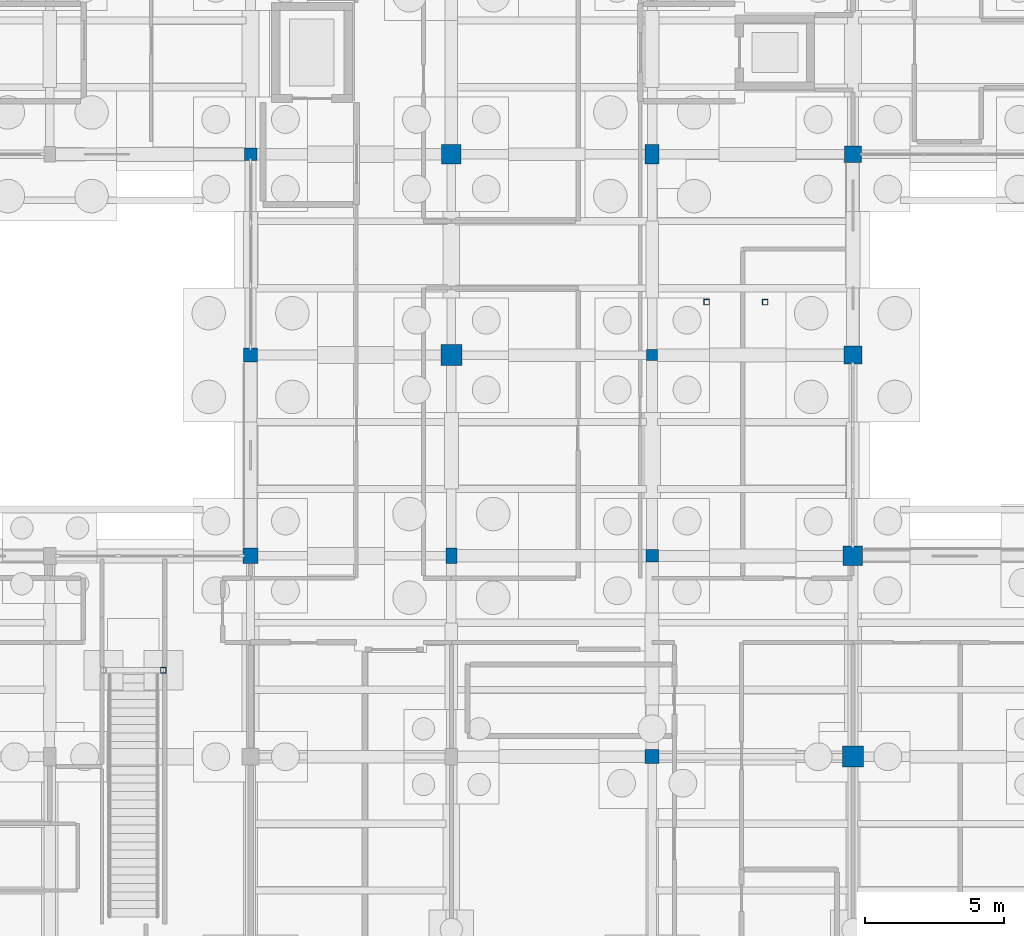
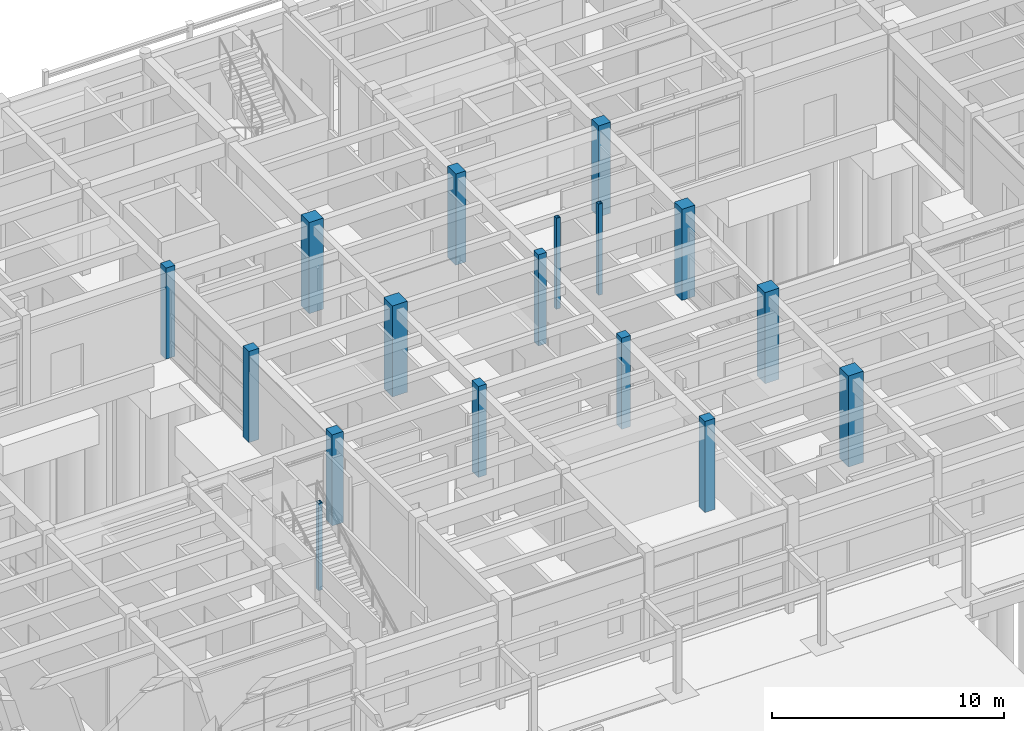
# One storey, part 25 of 143: 17 columns.
"""IFC4 building model written with IfcOpenShell, lengths in metres."""

from ifc_helpers import new_model, si_unit, direction, frame, origin, origin_2d, place, context, subcontext, project, spatial, rectangle, hollow_rectangle, extrude, material, material_profile, profile_set, type_object, element, save


model = new_model("IFC4")

# Units and contexts
model_context = context("Model", 3, precision=1e-05, world=origin(), true_north=direction((0.0, 1.0)))
body_context = subcontext(model_context, "Body", "Model", "MODEL_VIEW")
ifc_project = project(units=[si_unit("LENGTHUNIT", "METRE"), si_unit("AREAUNIT", "SQUARE_METRE"), si_unit("VOLUMEUNIT", "CUBIC_METRE"), si_unit("PLANEANGLEUNIT", "RADIAN"), si_unit("MASSUNIT", "GRAM", prefix="KILO")], contexts=[model_context])

# Site, building, storey
site_placement = place(None, origin())
site = spatial("IfcSite", under=ifc_project, at=site_placement, CompositionType="ELEMENT")
building_placement = place(site_placement, origin())
building = spatial("IfcBuilding", under=site, at=building_placement, Name="Steenspoor Specialist Clinic", CompositionType="ELEMENT")
storey_placement = place(building_placement, origin())
storey = spatial("IfcBuildingStorey", under=building, at=storey_placement, Name="L00", CompositionType="ELEMENT", Elevation=0.0)

# Columns
ifc_material_1 = material(Name="Concrete C40/50", Category="concrete")
ifc_material_profile_1 = material_profile(ifc_material_1, rectangle(XDim=0.39990234375, YDim=0.39990234375, at=origin_2d()), Name="RC-COL-400X400")
ifc_profile_set_1 = profile_set([ifc_material_profile_1], Name="Concrete C40/50")
column_type_1 = type_object("IfcColumnType", Name="COL-RC-400", PredefinedType="COLUMN", material=ifc_profile_set_1)
column_1_placement = place(storey_placement, frame((88.39990234375, 86.75, 0.0), z_axis=(0.0, 0.0, 1.0), x_axis=(1.0, 0.0, 0.0)))
element("IfcColumn", 1, at=column_1_placement, inside=storey, type_object=column_type_1, Name="Column COL-L00-0356", PredefinedType="COLUMN", context=body_context, shape_type="SweptSolid", body=[
    extrude(rectangle(XDim=0.39990234375, YDim=0.39990234375, at=origin_2d()), origin(), (0.0, 0.0, 1.0), 4.800048828125),
])
ifc_material_profile_2 = material_profile(ifc_material_1, rectangle(XDim=0.39990234375, YDim=0.550048828125, at=origin_2d()), Name="RC-COL-400X550")
ifc_profile_set_2 = profile_set([ifc_material_profile_2], Name="Concrete C40/50")
column_type_2 = type_object("IfcColumnType", Name="COL-RC-400X550", PredefinedType="COLUMN", material=ifc_profile_set_2)
column_2_placement = place(storey_placement, frame((81.199951171875, 79.550048828125, 0.0), z_axis=(0.0, 0.0, 1.0), x_axis=(1.0, 0.0, 0.0)))
element("IfcColumn", 2, at=column_2_placement, inside=storey, type_object=column_type_2, Name="Column COL-L00-0313", PredefinedType="COLUMN", context=body_context, shape_type="SweptSolid", body=[
    extrude(rectangle(XDim=0.39990234375, YDim=0.550048828125, at=origin_2d()), origin(), (0.0, 0.0, 1.0), 4.800048828125),
])
ifc_material_profile_3 = material_profile(ifc_material_1, rectangle(XDim=0.449951171875, YDim=0.449951171875, at=origin_2d()), Name="RC-COL-450X450")
ifc_profile_set_3 = profile_set([ifc_material_profile_3], Name="Concrete C40/50")
column_type_3 = type_object("IfcColumnType", Name="COL-RC-450", PredefinedType="COLUMN", material=ifc_profile_set_3)
for number, where, z_axis, x_axis, name in (
    (3, (74.0, 93.949951171875, 0.0), (0.0, 0.0, 1.0), (1.0, 0.0, 0.0), "Column COL-L00-0288"),
    (4, (88.39990234375, 79.550048828125, 0.0), (0.0, 0.0, 1.0), (1.0, 0.0, 0.0), "Column COL-L00-0350"),
):
    element("IfcColumn", number, at=place(storey_placement, frame(where, z_axis=z_axis, x_axis=x_axis)), inside=storey, type_object=column_type_3, Name=name, PredefinedType="COLUMN", context=body_context, shape_type="SweptSolid", body=[
        extrude(rectangle(XDim=0.449951171875, YDim=0.449951171875, at=origin_2d()), origin(), (0.0, 0.0, 1.0), 4.800048828125),
    ])
ifc_material_profile_4 = material_profile(ifc_material_1, rectangle(XDim=0.5, YDim=0.5, at=origin_2d()), Name="RC-COL-500X500")
ifc_profile_set_4 = profile_set([ifc_material_profile_4], Name="Concrete C40/50")
column_type_4 = type_object("IfcColumnType", Name="COL-RC-500", PredefinedType="COLUMN", material=ifc_profile_set_4)
for number, where, z_axis, x_axis, name in (
    (5, (74.0, 86.75, 0.0), (0.0, 0.0, 1.0), (1.0, 0.0, 0.0), "Column COL-L00-0282"),
    (6, (88.39990234375, 72.35009765625, 0.0), (0.0, 0.0, 1.0), (1.0, 0.0, 0.0), "Column COL-L00-0345"),
):
    element("IfcColumn", number, at=place(storey_placement, frame(where, z_axis=z_axis, x_axis=x_axis)), inside=storey, type_object=column_type_4, Name=name, PredefinedType="COLUMN", context=body_context, shape_type="SweptSolid", body=[
        extrude(rectangle(XDim=0.5, YDim=0.5, at=origin_2d()), origin(), (0.0, 0.0, 1.0), 4.800048828125),
    ])
ifc_material_profile_5 = material_profile(ifc_material_1, rectangle(XDim=0.5, YDim=0.699951171875, at=origin_2d()), Name="RC-COL-500X700")
ifc_profile_set_5 = profile_set([ifc_material_profile_5], Name="Concrete C40/50")
column_type_5 = type_object("IfcColumnType", Name="COL-RC-500X700", PredefinedType="COLUMN", material=ifc_profile_set_5)
column_3_placement = place(storey_placement, frame((88.39990234375, 93.949951171875, 0.0), z_axis=(0.0, 0.0, 1.0), x_axis=(1.0, 0.0, 0.0)))
element("IfcColumn", 7, at=column_3_placement, inside=storey, type_object=column_type_5, Name="Column COL-L00-0362", PredefinedType="COLUMN", context=body_context, shape_type="SweptSolid", body=[
    extrude(rectangle(XDim=0.5, YDim=0.699951171875, at=origin_2d()), origin(), (0.0, 0.0, 1.0), 4.800048828125),
])
ifc_material_profile_6 = material_profile(ifc_material_1, rectangle(XDim=0.550048828125, YDim=0.550048828125, at=origin_2d()), Name="RC-COL-550X550")
ifc_profile_set_6 = profile_set([ifc_material_profile_6], Name="Concrete C40/50")
column_type_6 = type_object("IfcColumnType", Name="COL-RC-550", PredefinedType="COLUMN", material=ifc_profile_set_6)
column_4_placement = place(storey_placement, frame((74.0, 79.550048828125, 0.0), z_axis=(0.0, 0.0, 1.0), x_axis=(1.0, 0.0, 0.0)))
element("IfcColumn", 8, at=column_4_placement, inside=storey, type_object=column_type_6, Name="Column COL-L00-0276", PredefinedType="COLUMN", context=body_context, shape_type="SweptSolid", body=[
    extrude(rectangle(XDim=0.550048828125, YDim=0.550048828125, at=origin_2d()), origin(), (0.0, 0.0, 1.0), 4.800048828125),
])
ifc_material_profile_7 = material_profile(ifc_material_1, rectangle(XDim=0.60009765625, YDim=0.60009765625, at=origin_2d()), Name="RC-COL-600X600")
ifc_profile_set_7 = profile_set([ifc_material_profile_7], Name="Concrete C40/50")
column_type_7 = type_object("IfcColumnType", Name="COL-RC-600", PredefinedType="COLUMN", material=ifc_profile_set_7)
column_5_placement = place(storey_placement, frame((95.60009765625, 93.949951171875, 0.0), z_axis=(0.0, 0.0, 1.0), x_axis=(1.0, 0.0, 0.0)))
element("IfcColumn", 9, at=column_5_placement, inside=storey, type_object=column_type_7, Name="Column COL-L00-0399", PredefinedType="COLUMN", context=body_context, shape_type="SweptSolid", body=[
    extrude(rectangle(XDim=0.60009765625, YDim=0.60009765625, at=origin_2d()), origin(), (0.0, 0.0, 1.0), 4.800048828125),
])
ifc_material_profile_8 = material_profile(ifc_material_1, rectangle(XDim=0.64990234375, YDim=0.64990234375, at=origin_2d()), Name="RC-COL-650X650")
ifc_profile_set_8 = profile_set([ifc_material_profile_8], Name="Concrete C40/50")
column_type_8 = type_object("IfcColumnType", Name="COL-RC-650", PredefinedType="COLUMN", material=ifc_profile_set_8)
column_6_placement = place(storey_placement, frame((95.60009765625, 86.75, 0.0), z_axis=(0.0, 0.0, 1.0), x_axis=(1.0, 0.0, 0.0)))
element("IfcColumn", 10, at=column_6_placement, inside=storey, type_object=column_type_8, Name="Column COL-L00-0393", PredefinedType="COLUMN", context=body_context, shape_type="SweptSolid", body=[
    extrude(rectangle(XDim=0.64990234375, YDim=0.64990234375, at=origin_2d()), origin(), (0.0, 0.0, 1.0), 4.800048828125),
])
ifc_material_profile_9 = material_profile(ifc_material_1, rectangle(XDim=0.699951171875, YDim=0.699951171875, at=origin_2d()), Name="RC-COL-700X700")
ifc_profile_set_9 = profile_set([ifc_material_profile_9], Name="Concrete C40/50")
column_type_9 = type_object("IfcColumnType", Name="COL-RC-700", PredefinedType="COLUMN", material=ifc_profile_set_9)
for number, where, z_axis, x_axis, name in (
    (11, (81.199951171875, 93.949951171875, 0.0), (0.0, 0.0, 1.0), (1.0, 0.0, 0.0), "Column COL-L00-0325"),
    (12, (95.60009765625, 79.550048828125, 0.0), (0.0, 0.0, 1.0), (1.0, 0.0, 0.0), "Column COL-L00-0387"),
):
    element("IfcColumn", number, at=place(storey_placement, frame(where, z_axis=z_axis, x_axis=x_axis)), inside=storey, type_object=column_type_9, Name=name, PredefinedType="COLUMN", context=body_context, shape_type="SweptSolid", body=[
        extrude(rectangle(XDim=0.699951171875, YDim=0.699951171875, at=origin_2d()), origin(), (0.0, 0.0, 1.0), 4.800048828125),
    ])
ifc_material_profile_10 = material_profile(ifc_material_1, rectangle(XDim=0.75, YDim=0.75, at=origin_2d()), Name="RC-COL-750X750")
ifc_profile_set_10 = profile_set([ifc_material_profile_10], Name="Concrete C40/50")
column_type_10 = type_object("IfcColumnType", Name="COL-RC-750", PredefinedType="COLUMN", material=ifc_profile_set_10)
for number, where, z_axis, x_axis, name in (
    (13, (81.199951171875, 86.75, 0.0), (0.0, 0.0, 1.0), (1.0, 0.0, 0.0), "Column COL-L00-0319"),
    (14, (95.60009765625, 72.35009765625, 0.0), (0.0, 0.0, 1.0), (1.0, 0.0, 0.0), "Column COL-L00-0382"),
):
    element("IfcColumn", number, at=place(storey_placement, frame(where, z_axis=z_axis, x_axis=x_axis)), inside=storey, type_object=column_type_10, Name=name, PredefinedType="COLUMN", context=body_context, shape_type="SweptSolid", body=[
        extrude(rectangle(XDim=0.75, YDim=0.75, at=origin_2d()), origin(), (0.0, 0.0, 1.0), 4.800048828125),
    ])
ifc_material_2 = material(Name="Steel A500 Grade C", Category="steel")
ifc_material_profile_11 = material_profile(ifc_material_2, hollow_rectangle(XDim=0.203125, YDim=0.203125, WallThickness=0.01171875, at=origin_2d()), Name="HSS203X203X12.7")
ifc_profile_set_11 = profile_set([ifc_material_profile_11], Name="Steel A500 Grade C")
column_type_11 = type_object("IfcColumnType", Name="COL-ST-HSS203", PredefinedType="COLUMN", material=ifc_profile_set_11)
column_7_placement = place(storey_placement, frame((70.875, 75.449951171875, 0.0), z_axis=(0.0, 0.0, 1.0), x_axis=(1.0, 0.0, 0.0)))
element("IfcColumn", 15, at=column_7_placement, inside=storey, type_object=column_type_11, Name="Feature Stair Post ST-F02 R", PredefinedType="COLUMN", context=body_context, shape_type="SweptSolid", body=[
    extrude(hollow_rectangle(XDim=0.203125, YDim=0.203125, WallThickness=0.01171875, at=origin_2d()), origin(), (0.0, 0.0, 1.0), 4.60009765625),
])
for number, where, z_axis, x_axis, name in (
    (16, (90.35009765625, 88.64990234375, 0.0), (0.0, 0.0, 1.0), (1.0, 0.0, 0.0), "Feature Stair Lower Post ST-F03 L"),
    (17, (92.449951171875, 88.64990234375, 0.0), (0.0, 0.0, 1.0), (1.0, 0.0, 0.0), "Feature Stair Lower Post ST-F03 R"),
):
    element("IfcColumn", number, at=place(storey_placement, frame(where, z_axis=z_axis, x_axis=x_axis)), inside=storey, type_object=column_type_11, Name=name, PredefinedType="COLUMN", context=body_context, shape_type="SweptSolid", body=[
        extrude(hollow_rectangle(XDim=0.203125, YDim=0.203125, WallThickness=0.01171875, at=origin_2d()), origin(), (0.0, 0.0, 1.0), 4.800048828125),
    ])

save(model, "model.ifc")
